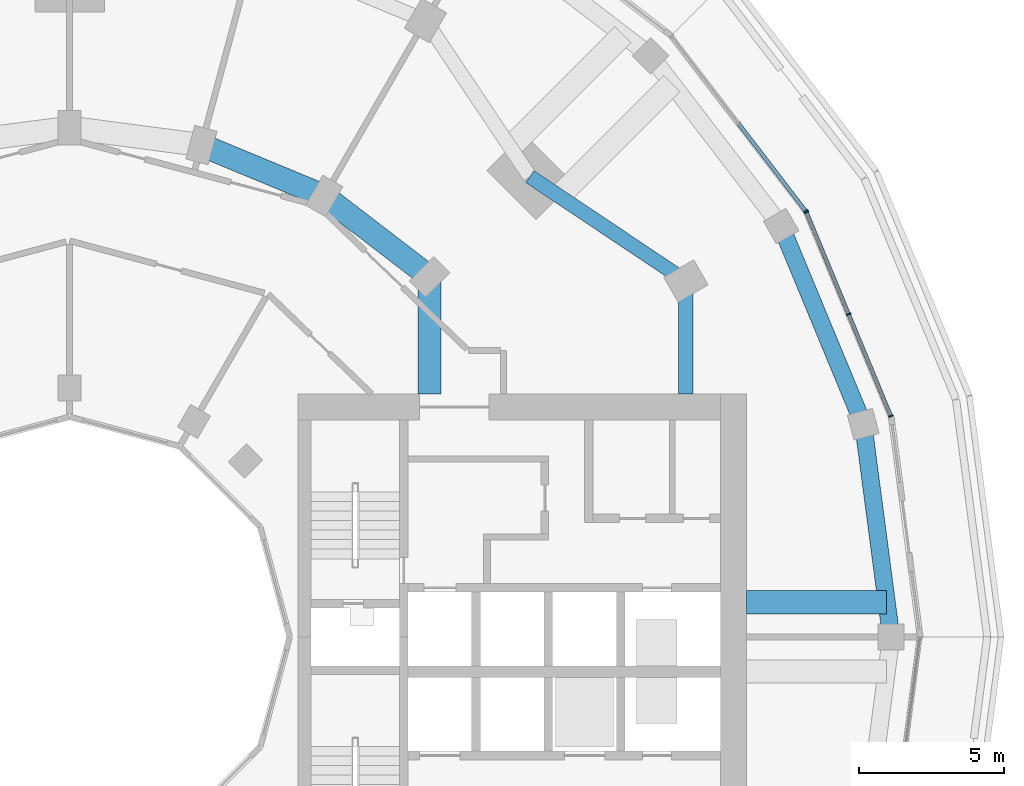
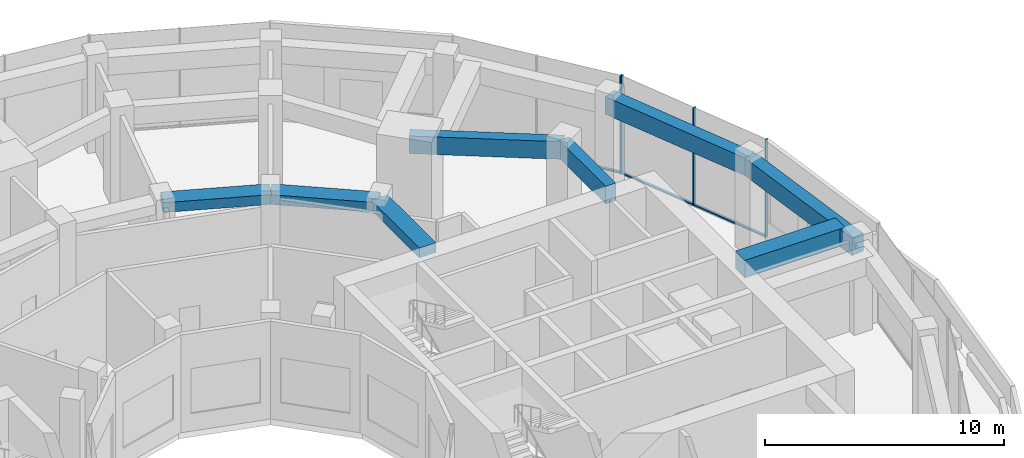
# One storey, part 8 of 19: 8 beams, 7 members, 2 elements without a shape of their own.
"""IFC4 building model written with IfcOpenShell, lengths in metres."""

from ifc_helpers import new_model, si_unit, direction, frame, origin, origin_2d, place, context, subcontext, project, spatial, rectangle, extrude, material, layer, layer_set, material_profile, profile_set, type_object, element, aggregate, save


model = new_model("IFC4")

# Units and contexts
model_context = context("Model", 3, precision=1e-05, world=origin(), true_north=direction((0.0, 1.0)))
body_context = subcontext(model_context, "Body", "Model", "MODEL_VIEW")
ifc_project = project(units=[si_unit("LENGTHUNIT", "METRE"), si_unit("AREAUNIT", "SQUARE_METRE"), si_unit("VOLUMEUNIT", "CUBIC_METRE"), si_unit("PLANEANGLEUNIT", "RADIAN"), si_unit("MASSUNIT", "GRAM", prefix="KILO")], contexts=[model_context])

# Site, building, storey
site_placement = place(None, origin())
site = spatial("IfcSite", under=ifc_project, at=site_placement, CompositionType="ELEMENT")
building_placement = place(site_placement, origin())
building = spatial("IfcBuilding", under=site, at=building_placement, Name="Torre Brocal", CompositionType="ELEMENT")
storey_placement = place(building_placement, frame((0.0, 0.0, 23.800048828125)))
storey = spatial("IfcBuildingStorey", under=building, at=storey_placement, Name="L04", CompositionType="ELEMENT", Elevation=23.800048828125)

# Curtain wall, members
ifc_material_1 = material(Name="Aluminium and glass", Category="aluminium")
ifc_layer = layer(ifc_material_1, 0.199951171875)
ifc_layer_set = layer_set([ifc_layer], Name="Aluminium and glass")
curtain_wall_type = type_object("IfcCurtainWallType", Name="CW-6 CURTAIN WALL 5000 HIGH", PredefinedType="NOTDEFINED", material=ifc_layer_set)
curtain_wall_1_placement = place(storey_placement, origin())
curtain_wall_1 = element("IfcCurtainWall", 1, at=curtain_wall_1_placement, inside=storey, type_object=curtain_wall_type, Name="CW-6 RUN 2", PredefinedType="NOTDEFINED")
ifc_material_2 = material(Name="Aluminium, dark anodised", Category="aluminium")
ifc_material_profile_1 = material_profile(ifc_material_2, rectangle(XDim=0.159912109375, YDim=0.050048828125, at=origin_2d()), Name="CW-6 MULLION 50X160")
ifc_profile_set_1 = profile_set([ifc_material_profile_1], Name="Aluminium, dark anodised")
member_type_1 = type_object("IfcMemberType", Name="CW-6 MULLION 50X160", PredefinedType="MULLION", material=ifc_profile_set_1)
member_1_placement = place(storey_placement, frame((108.387939453125, 82.632080078125, 0.0), z_axis=(0.0, 0.0, 1.0), x_axis=(-0.923879532511, -0.382683432365, 0.0)))
member_1 = element("IfcMember", 2, at=member_1_placement, type_object=member_type_1, Name="CW6-3 mullion 1", PredefinedType="MULLION", context=body_context, shape_type="SweptSolid", body=[
    extrude(rectangle(XDim=0.159912109375, YDim=0.050048828125, at=origin_2d()), origin(), (0.0, 0.0, 1.0), 5.0),
])
member_2_placement = place(storey_placement, frame((106.928955078125, 86.154296875, 0.0), z_axis=(0.0, 0.0, 1.0), x_axis=(-0.923879532511, -0.382683432365, 0.0)))
member_2 = element("IfcMember", 3, at=member_2_placement, type_object=member_type_1, Name="CW6-3 mullion 2", PredefinedType="MULLION", context=body_context, shape_type="SweptSolid", body=[
    extrude(rectangle(XDim=0.159912109375, YDim=0.050048828125, at=origin_2d()), origin(), (0.0, 0.0, 1.0), 5.0),
])
member_3_placement = place(storey_placement, frame((105.469970703125, 89.676513671875, 0.0), z_axis=(0.0, 0.0, 1.0), x_axis=(-0.923879532511, -0.382683432365, 0.0)))
member_3 = element("IfcMember", 4, at=member_3_placement, type_object=member_type_1, Name="CW6-3 mullion 3", PredefinedType="MULLION", context=body_context, shape_type="SweptSolid", body=[
    extrude(rectangle(XDim=0.159912109375, YDim=0.050048828125, at=origin_2d()), origin(), (0.0, 0.0, 1.0), 5.0),
])

# Curtain wall, member
curtain_wall_2_placement = place(storey_placement, origin())
curtain_wall_2 = element("IfcCurtainWall", 5, at=curtain_wall_2_placement, inside=storey, type_object=curtain_wall_type, Name="CW-6 RUN 3", PredefinedType="NOTDEFINED")
member_4_placement = place(storey_placement, frame((105.445068359375, 89.719482421875, 0.0), z_axis=(0.0, 0.0, 1.0), x_axis=(-0.793353340291, -0.608761429009, 0.0)))
member_4 = element("IfcMember", 6, at=member_4_placement, type_object=member_type_1, Name="CW6-3 mullion 1", PredefinedType="MULLION", context=body_context, shape_type="SweptSolid", body=[
    extrude(rectangle(XDim=0.159912109375, YDim=0.050048828125, at=origin_2d()), origin(), (0.0, 0.0, 1.0), 5.0),
])

# Member
ifc_material_3 = material(Name="Aluminium, dark anodised", Category="aluminium")
ifc_material_profile_2 = material_profile(ifc_material_3, rectangle(XDim=0.1298828125, YDim=0.070068359375, at=origin_2d()), Name="CW-6 TRANSOM 130X70")
ifc_profile_set_2 = profile_set([ifc_material_profile_2], Name="Aluminium, dark anodised")
member_type_2 = type_object("IfcMemberType", Name="CW-6 TRANSOM 130X70", PredefinedType="USERDEFINED", material=ifc_profile_set_2)
member_5_placement = place(storey_placement, frame((108.378173828125, 82.6552734375, 0.034912109375), z_axis=(-0.382674653767, 0.923883168677, 0.0), x_axis=(-0.923883168677, -0.382674653767, 0.0)))
member_5 = element("IfcMember", 7, at=member_5_placement, type_object=member_type_2, Name="CW6-3 transom 1.1", ObjectType="TRANSOM", PredefinedType="USERDEFINED", context=body_context, shape_type="SweptSolid", body=[
    extrude(rectangle(XDim=0.1298828125, YDim=0.070068359375, at=origin_2d()), origin(), (0.0, 0.0, 1.0), 3.76220703125),
])

member_6_placement = place(storey_placement, frame((106.91943359375, 86.177490234375, 0.034912109375), z_axis=(-0.382730041872, 0.923860224844, 0.0), x_axis=(-0.923860224844, -0.382730041872, 0.0)))
member_6 = element("IfcMember", 8, at=member_6_placement, type_object=member_type_2, Name="CW6-3 transom 2.1", ObjectType="TRANSOM", PredefinedType="USERDEFINED", context=body_context, shape_type="SweptSolid", body=[
    extrude(rectangle(XDim=0.1298828125, YDim=0.070068359375, at=origin_2d()), origin(), (0.0, 0.0, 1.0), 3.76220703125),
])

aggregate(curtain_wall_1, [member_1, member_2, member_3, member_5, member_6])

member_7_placement = place(storey_placement, frame((105.429931640625, 89.7392578125, 0.034912109375), z_axis=(-0.608747552181, 0.793363988163, 0.0), x_axis=(-0.793363988163, -0.608747552181, 0.0)))
member_7 = element("IfcMember", 9, at=member_7_placement, type_object=member_type_2, Name="CW6-3 transom 1.1", ObjectType="TRANSOM", PredefinedType="USERDEFINED", context=body_context, shape_type="SweptSolid", body=[
    extrude(rectangle(XDim=0.1298828125, YDim=0.070068359375, at=origin_2d()), origin(), (0.0, 0.0, 1.0), 3.76220703125),
])

aggregate(curtain_wall_2, [member_4, member_7])

# Beams
ifc_material_4 = material(Name="Concrete C50", Category="concrete")
ifc_material_profile_3 = material_profile(ifc_material_4, rectangle(XDim=0.60009765625, YDim=0.89990234375, at=origin_2d()), Name="RC 600X900")
ifc_profile_set_3 = profile_set([ifc_material_profile_3], Name="Concrete C50")
beam_type_1 = type_object("IfcBeamType", Name="RC BEAM 600X900 C50 TOP 4680", PredefinedType="BEAM", material=ifc_profile_set_3)
beam_1_placement = place(storey_placement, frame((108.39990234375, 75.0, 4.22998046875), z_axis=(-0.130504771669, 0.991447681208, 0.0), x_axis=(-0.991447681208, -0.130504771669, 0.0)))
element("IfcBeam", 10, at=beam_1_placement, inside=storey, type_object=beam_type_1, Name="Beam BT-16", PredefinedType="BEAM", context=body_context, shape_type="SweptSolid", body=[
    extrude(rectangle(XDim=0.60009765625, YDim=0.89990234375, at=origin_2d()), origin(), (0.0, 0.0, 1.0), 7.413818359375),
])
beam_2_placement = place(storey_placement, frame((107.432373046875, 82.350341796875, 4.22998046875), z_axis=(-0.382678493716, 0.923881578151, 0.0), x_axis=(-0.923881578151, -0.382678493716, 0.0)))
element("IfcBeam", 11, at=beam_2_placement, inside=storey, type_object=beam_type_1, Name="Beam BT-16", PredefinedType="BEAM", context=body_context, shape_type="SweptSolid", body=[
    extrude(rectangle(XDim=0.60009765625, YDim=0.89990234375, at=origin_2d()), origin(), (0.0, 0.0, 1.0), 7.4140625),
])
ifc_material_5 = material(Name="Concrete C50", Category="concrete")
ifc_material_profile_4 = material_profile(ifc_material_5, rectangle(XDim=0.800048828125, YDim=0.5, at=origin_2d()), Name="RC 800X500")
ifc_profile_set_4 = profile_set([ifc_material_profile_4], Name="Concrete C50")
beam_type_2 = type_object("IfcBeamType", Name="RC BEAM 800X500 C50 TOP 4680", PredefinedType="BEAM", material=ifc_profile_set_4)
beam_3_placement = place(storey_placement, frame((92.445068359375, 87.445068359375, 4.429931640625), z_axis=(-0.793358265959, 0.6087550097, 0.0), x_axis=(-0.6087550097, -0.793358265959, 0.0)))
element("IfcBeam", 12, at=beam_3_placement, inside=storey, type_object=beam_type_2, Name="Beam BT-17", PredefinedType="BEAM", context=body_context, shape_type="SweptSolid", body=[
    extrude(rectangle(XDim=0.800048828125, YDim=0.5, at=origin_2d()), origin(), (0.0, 0.0, 1.0), 4.594482421875),
])
beam_4_placement = place(storey_placement, frame((88.800048828125, 90.241943359375, 4.429931640625), z_axis=(-0.923878240166, 0.382686552348, 0.0), x_axis=(-0.382686552348, -0.923878240166, 0.0)))
element("IfcBeam", 13, at=beam_4_placement, inside=storey, type_object=beam_type_2, Name="Beam BT-17", PredefinedType="BEAM", context=body_context, shape_type="SweptSolid", body=[
    extrude(rectangle(XDim=0.800048828125, YDim=0.5, at=origin_2d()), origin(), (0.0, 0.0, 1.0), 4.5947265625),
])
beam_5_placement = place(storey_placement, frame((92.445068359375, 87.445068359375, 4.429931640625), z_axis=(0.0, -1.0, 0.0), x_axis=(1.0, 0.0, 0.0)))
element("IfcBeam", 14, at=beam_5_placement, inside=storey, type_object=beam_type_2, Name="Beam BT-17", PredefinedType="BEAM", context=body_context, shape_type="SweptSolid", body=[
    extrude(rectangle(XDim=0.800048828125, YDim=0.5, at=origin_2d()), origin(), (0.0, 0.0, 1.0), 4.045166015625),
])
ifc_material_6 = material(Name="Concrete C50", Category="concrete")
ifc_material_profile_5 = material_profile(ifc_material_6, rectangle(XDim=0.800048828125, YDim=0.89990234375, at=origin_2d()), Name="RC 800X900")
ifc_profile_set_5 = profile_set([ifc_material_profile_5], Name="Concrete C50")
beam_type_3 = type_object("IfcBeamType", Name="RC BEAM 800X900 C50 TOP 4680", PredefinedType="BEAM", material=ifc_profile_set_5)
beam_6_placement = place(storey_placement, frame((103.39990234375, 76.199951171875, 4.22998046875), z_axis=(1.0, 0.0, 0.0), x_axis=(0.0, 1.0, 0.0)))
element("IfcBeam", 15, at=beam_6_placement, inside=storey, type_object=beam_type_3, Name="Beam BT-54", PredefinedType="BEAM", context=body_context, shape_type="SweptSolid", body=[
    extrude(rectangle(XDim=0.800048828125, YDim=0.89990234375, at=origin_2d()), origin(), (0.0, 0.0, 1.0), 4.842041015625),
])
ifc_material_7 = material(Name="Concrete C50", Category="concrete")
ifc_material_profile_6 = material_profile(ifc_material_7, rectangle(XDim=0.5, YDim=0.89990234375, at=origin_2d()), Name="RC 500X900")
ifc_profile_set_6 = profile_set([ifc_material_profile_6], Name="Concrete C50")
beam_type_4 = type_object("IfcBeamType", Name="RC SPANDREL BEAM 500X900 C50 TOP 4680", PredefinedType="SPANDREL", material=ifc_profile_set_6)
beam_7_placement = place(storey_placement, frame((101.30419921875, 87.300048828125, 4.22998046875), z_axis=(-0.831076844476, 0.556157602282, 0.0), x_axis=(-0.556157602282, -0.831076844476, 0.0)))
element("IfcBeam", 16, at=beam_7_placement, inside=storey, type_object=beam_type_4, Name="Beam BT-18", PredefinedType="SPANDREL", context=body_context, shape_type="SweptSolid", body=[
    extrude(rectangle(XDim=0.5, YDim=0.89990234375, at=origin_2d()), origin(), (0.0, 0.0, 1.0), 6.49072265625),
])
beam_8_placement = place(storey_placement, frame((101.30419921875, 87.300048828125, 4.22998046875), z_axis=(0.0, -1.0, 0.0), x_axis=(1.0, 0.0, 0.0)))
element("IfcBeam", 17, at=beam_8_placement, inside=storey, type_object=beam_type_4, Name="Beam BT-18", PredefinedType="SPANDREL", context=body_context, shape_type="SweptSolid", body=[
    extrude(rectangle(XDim=0.5, YDim=0.89990234375, at=origin_2d()), origin(), (0.0, 0.0, 1.0), 3.900146484375),
])

save(model, "model.ifc")
